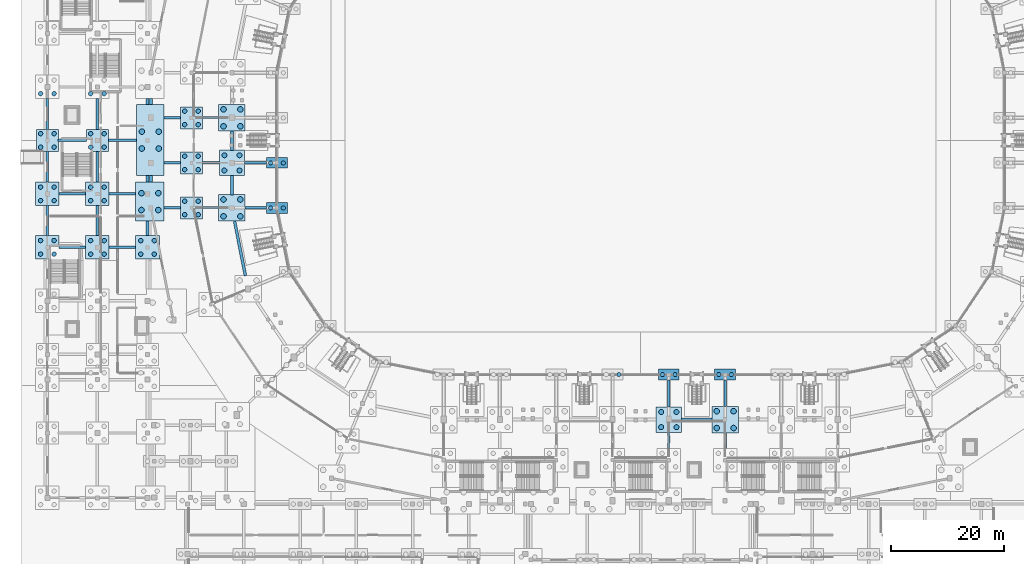
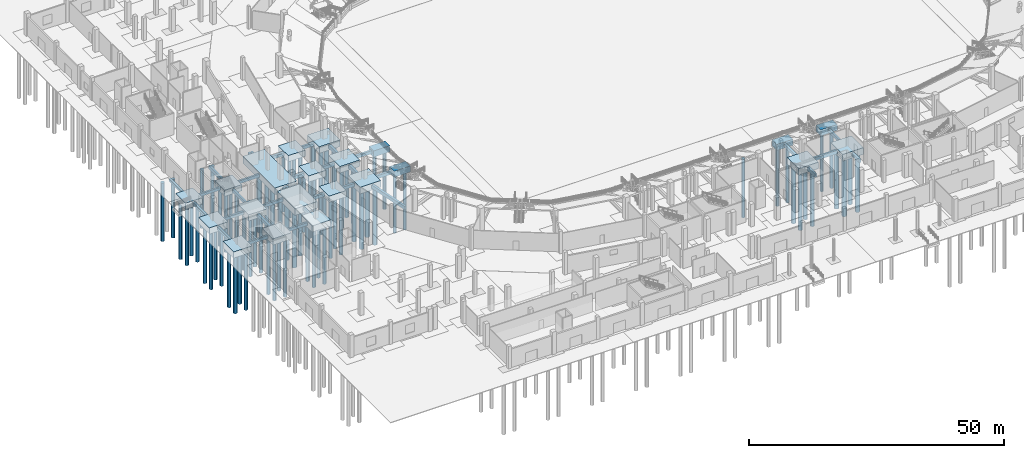
# One storey, part 4 of 68: 81 piles, 54 footings.
"""IFC4 building model written with IfcOpenShell, lengths in metres."""

from ifc_helpers import new_model, si_unit, direction, frame, origin, origin_2d, place, context, subcontext, project, spatial, rectangle, circle, extrude, material, material_profile, profile_set, type_object, element, save


model = new_model("IFC4")

# Units and contexts
model_context = context("Model", 3, precision=1e-05, world=origin(), true_north=direction((0.0, 1.0)))
body_context = subcontext(model_context, "Body", "Model", "MODEL_VIEW")
ifc_project = project(units=[si_unit("LENGTHUNIT", "METRE"), si_unit("AREAUNIT", "SQUARE_METRE"), si_unit("VOLUMEUNIT", "CUBIC_METRE"), si_unit("PLANEANGLEUNIT", "RADIAN"), si_unit("MASSUNIT", "GRAM", prefix="KILO")], contexts=[model_context])

# Site, building, storey
site_placement = place(None, origin())
site = spatial("IfcSite", under=ifc_project, at=site_placement, CompositionType="ELEMENT")
building_placement = place(site_placement, origin())
building = spatial("IfcBuilding", under=site, at=building_placement, Name="Candeia Ridge Stadium", CompositionType="ELEMENT")
storey_placement = place(building_placement, origin())
storey = spatial("IfcBuildingStorey", under=building, at=storey_placement, Name="L00", CompositionType="ELEMENT", Elevation=0.0)

# Piles
ifc_material = material(Name="Concrete C40/50", Category="concrete")
ifc_material_profile_1 = material_profile(ifc_material, circle(Radius=0.5, at=origin_2d()), Name="PILE-D1000", Category="concrete")
ifc_profile_set_1 = profile_set([ifc_material_profile_1], Name="Concrete C40/50")
pile_type_1 = type_object("IfcPileType", Name="Bored Concrete Pile D1000", PredefinedType="BORED", material=ifc_profile_set_1)
for number, where, z_axis, x_axis, name in (
    (1, (31.89990234375, 85.5, -1.39990234375), (0.0, 0.0, -1.0), (1.0, 0.0, 0.0), "Bored concrete foundation pile PILE-0167"),
    (2, (34.89990234375, 85.5, -1.39990234375), (0.0, 0.0, -1.0), (1.0, 0.0, 0.0), "Bored concrete foundation pile PILE-0168"),
    (3, (31.89990234375, 88.5, -1.39990234375), (0.0, 0.0, -1.0), (1.0, 0.0, 0.0), "Bored concrete foundation pile PILE-0169"),
    (4, (34.89990234375, 88.5, -1.39990234375), (0.0, 0.0, -1.0), (1.0, 0.0, 0.0), "Bored concrete foundation pile PILE-0170"),
    (5, (17.39990234375, 81.550048828125, -1.39990234375), (0.0, 0.0, -1.0), (1.0, 0.0, 0.0), "Bored concrete foundation pile PILE-0175"),
    (6, (20.39990234375, 81.550048828125, -1.39990234375), (0.0, 0.0, -1.0), (1.0, 0.0, 0.0), "Bored concrete foundation pile PILE-0176"),
    (7, (17.39990234375, 84.550048828125, -1.39990234375), (0.0, 0.0, -1.0), (1.0, 0.0, 0.0), "Bored concrete foundation pile PILE-0177"),
    (8, (20.39990234375, 84.550048828125, -1.39990234375), (0.0, 0.0, -1.0), (1.0, 0.0, 0.0), "Bored concrete foundation pile PILE-0178"),
    (9, (31.89990234375, 69.5, -1.39990234375), (0.0, 0.0, -1.0), (1.0, 0.0, 0.0), "Bored concrete foundation pile PILE-0191"),
    (10, (34.89990234375, 69.5, -1.39990234375), (0.0, 0.0, -1.0), (1.0, 0.0, 0.0), "Bored concrete foundation pile PILE-0192"),
    (11, (31.89990234375, 72.5, -1.39990234375), (0.0, 0.0, -1.0), (1.0, 0.0, 0.0), "Bored concrete foundation pile PILE-0193"),
    (12, (34.89990234375, 72.5, -1.39990234375), (0.0, 0.0, -1.0), (1.0, 0.0, 0.0), "Bored concrete foundation pile PILE-0194"),
    (13, (17.324951171875, 70.625, -1.39990234375), (0.0, 0.0, -1.0), (1.0, 0.0, 0.0), "Bored concrete foundation pile PILE-0199"),
    (14, (20.324951171875, 70.625, -1.39990234375), (0.0, 0.0, -1.0), (1.0, 0.0, 0.0), "Bored concrete foundation pile PILE-0200"),
    (15, (17.324951171875, 73.625, -1.39990234375), (0.0, 0.0, -1.0), (1.0, 0.0, 0.0), "Bored concrete foundation pile PILE-0201"),
    (16, (20.324951171875, 73.625, -1.39990234375), (0.0, 0.0, -1.0), (1.0, 0.0, 0.0), "Bored concrete foundation pile PILE-0202"),
    (17, (119.5, 31.89990234375, -1.39990234375), (0.0, 0.0, -1.0), (1.0, 0.0, 0.0), "Bored concrete foundation pile PILE-0317"),
    (18, (122.5, 31.89990234375, -1.39990234375), (0.0, 0.0, -1.0), (1.0, 0.0, 0.0), "Bored concrete foundation pile PILE-0318"),
    (19, (119.5, 34.89990234375, -1.39990234375), (0.0, 0.0, -1.0), (1.0, 0.0, 0.0), "Bored concrete foundation pile PILE-0319"),
    (20, (122.5, 34.89990234375, -1.39990234375), (0.0, 0.0, -1.0), (1.0, 0.0, 0.0), "Bored concrete foundation pile PILE-0320"),
):
    element("IfcPile", number, at=place(storey_placement, frame(where, z_axis=z_axis, x_axis=x_axis)), inside=storey, type_object=pile_type_1, Name=name, PredefinedType="BORED", context=body_context, shape_type="SweptSolid", body=[
        extrude(circle(Radius=0.5, at=origin_2d()), origin(), (0.0, 0.0, 1.0), 14.0),
    ])
ifc_material_profile_2 = material_profile(ifc_material, circle(Radius=0.375, at=origin_2d()), Name="PILE-D750", Category="concrete")
ifc_profile_set_2 = profile_set([ifc_material_profile_2], Name="Concrete C40/50")
pile_type_2 = type_object("IfcPileType", Name="Bored Concrete Pile D750", PredefinedType="BORED", material=ifc_profile_set_2)
for number, where, z_axis, x_axis, name in (
    (21, (40.27490234375, 79.0, -1.39990234375), (0.0, 0.0, -1.0), (1.0, 0.0, 0.0), "Bored concrete foundation pile PILE-0179"),
    (22, (42.52490234375, 79.0, -1.39990234375), (0.0, 0.0, -1.0), (1.0, 0.0, 0.0), "Bored concrete foundation pile PILE-0180"),
    (23, (40.27490234375, 71.0, -1.39990234375), (0.0, 0.0, -1.0), (1.0, 0.0, 0.0), "Bored concrete foundation pile PILE-0189"),
    (24, (42.52490234375, 71.0, -1.39990234375), (0.0, 0.0, -1.0), (1.0, 0.0, 0.0), "Bored concrete foundation pile PILE-0190"),
    (25, (102.125, 41.39990234375, -1.39990234375), (0.0, 0.0, -1.0), (1.0, 0.0, 0.0), "Bored concrete foundation pile PILE-0288"),
    (26, (109.875, 41.39990234375, -1.39990234375), (0.0, 0.0, -1.0), (1.0, 0.0, 0.0), "Bored concrete foundation pile PILE-0301"),
    (27, (112.125, 41.39990234375, -1.39990234375), (0.0, 0.0, -1.0), (1.0, 0.0, 0.0), "Bored concrete foundation pile PILE-0302"),
    (28, (119.875, 41.39990234375, -1.39990234375), (0.0, 0.0, -1.0), (1.0, 0.0, 0.0), "Bored concrete foundation pile PILE-0315"),
    (29, (122.125, 41.39990234375, -1.39990234375), (0.0, 0.0, -1.0), (1.0, 0.0, 0.0), "Bored concrete foundation pile PILE-0316"),
):
    element("IfcPile", number, at=place(storey_placement, frame(where, z_axis=z_axis, x_axis=x_axis)), inside=storey, type_object=pile_type_2, Name=name, PredefinedType="BORED", context=body_context, shape_type="SweptSolid", body=[
        extrude(circle(Radius=0.375, at=origin_2d()), origin(), (0.0, 0.0, 1.0), 14.0),
    ])
ifc_material_profile_3 = material_profile(ifc_material, circle(Radius=0.39990234375, at=origin_2d()), Name="PILE-D800", Category="concrete")
ifc_profile_set_3 = profile_set([ifc_material_profile_3], Name="Concrete C40/50")
pile_type_3 = type_object("IfcPileType", Name="Bored Concrete Pile D800", PredefinedType="BORED", material=ifc_profile_set_3)
for number, where, z_axis, x_axis, name in (
    (30, (25.0, 85.800048828125, -1.39990234375), (0.0, 0.0, -1.0), (1.0, 0.0, 0.0), "Bored concrete foundation pile PILE-0171"),
    (31, (27.39990234375, 85.800048828125, -1.39990234375), (0.0, 0.0, -1.0), (1.0, 0.0, 0.0), "Bored concrete foundation pile PILE-0172"),
    (32, (25.0, 88.199951171875, -1.39990234375), (0.0, 0.0, -1.0), (1.0, 0.0, 0.0), "Bored concrete foundation pile PILE-0173"),
    (33, (27.39990234375, 88.199951171875, -1.39990234375), (0.0, 0.0, -1.0), (1.0, 0.0, 0.0), "Bored concrete foundation pile PILE-0174"),
    (34, (25.0, 77.800048828125, -1.39990234375), (0.0, 0.0, -1.0), (1.0, 0.0, 0.0), "Bored concrete foundation pile PILE-0185"),
    (35, (27.39990234375, 77.800048828125, -1.39990234375), (0.0, 0.0, -1.0), (1.0, 0.0, 0.0), "Bored concrete foundation pile PILE-0186"),
    (36, (25.0, 80.199951171875, -1.39990234375), (0.0, 0.0, -1.0), (1.0, 0.0, 0.0), "Bored concrete foundation pile PILE-0187"),
    (37, (27.39990234375, 80.199951171875, -1.39990234375), (0.0, 0.0, -1.0), (1.0, 0.0, 0.0), "Bored concrete foundation pile PILE-0188"),
    (38, (25.0, 69.800048828125, -1.39990234375), (0.0, 0.0, -1.0), (1.0, 0.0, 0.0), "Bored concrete foundation pile PILE-0195"),
    (39, (27.39990234375, 69.800048828125, -1.39990234375), (0.0, 0.0, -1.0), (1.0, 0.0, 0.0), "Bored concrete foundation pile PILE-0196"),
    (40, (25.0, 72.199951171875, -1.39990234375), (0.0, 0.0, -1.0), (1.0, 0.0, 0.0), "Bored concrete foundation pile PILE-0197"),
    (41, (27.39990234375, 72.199951171875, -1.39990234375), (0.0, 0.0, -1.0), (1.0, 0.0, 0.0), "Bored concrete foundation pile PILE-0198"),
    (42, (-0.60009765625, 62.800048828125, -1.39990234375), (0.0, 0.0, -1.0), (1.0, 0.0, 0.0), "Bored concrete foundation pile PILE-0513"),
    (43, (1.800048828125, 62.800048828125, -1.39990234375), (0.0, 0.0, -1.0), (1.0, 0.0, 0.0), "Bored concrete foundation pile PILE-0514"),
    (44, (-0.60009765625, 65.199951171875, -1.39990234375), (0.0, 0.0, -1.0), (1.0, 0.0, 0.0), "Bored concrete foundation pile PILE-0515"),
    (45, (1.800048828125, 65.199951171875, -1.39990234375), (0.0, 0.0, -1.0), (1.0, 0.0, 0.0), "Bored concrete foundation pile PILE-0516"),
    (46, (-0.60009765625, 72.300048828125, -1.39990234375), (0.0, 0.0, -1.0), (1.0, 0.0, 0.0), "Bored concrete foundation pile PILE-0517"),
    (47, (1.800048828125, 72.300048828125, -1.39990234375), (0.0, 0.0, -1.0), (1.0, 0.0, 0.0), "Bored concrete foundation pile PILE-0518"),
    (48, (-0.60009765625, 74.699951171875, -1.39990234375), (0.0, 0.0, -1.0), (1.0, 0.0, 0.0), "Bored concrete foundation pile PILE-0519"),
    (49, (1.800048828125, 74.699951171875, -1.39990234375), (0.0, 0.0, -1.0), (1.0, 0.0, 0.0), "Bored concrete foundation pile PILE-0520"),
    (50, (-0.60009765625, 81.800048828125, -1.39990234375), (0.0, 0.0, -1.0), (1.0, 0.0, 0.0), "Bored concrete foundation pile PILE-0521"),
    (51, (1.800048828125, 81.800048828125, -1.39990234375), (0.0, 0.0, -1.0), (1.0, 0.0, 0.0), "Bored concrete foundation pile PILE-0522"),
    (52, (-0.60009765625, 84.199951171875, -1.39990234375), (0.0, 0.0, -1.0), (1.0, 0.0, 0.0), "Bored concrete foundation pile PILE-0523"),
    (53, (1.800048828125, 84.199951171875, -1.39990234375), (0.0, 0.0, -1.0), (1.0, 0.0, 0.0), "Bored concrete foundation pile PILE-0524"),
    (54, (-0.60009765625, 91.300048828125, -1.39990234375), (0.0, 0.0, -1.0), (1.0, 0.0, 0.0), "Bored concrete foundation pile PILE-0525"),
    (55, (1.800048828125, 91.300048828125, -1.39990234375), (0.0, 0.0, -1.0), (1.0, 0.0, 0.0), "Bored concrete foundation pile PILE-0526"),
    (56, (8.300048828125, 62.800048828125, -1.39990234375), (0.0, 0.0, -1.0), (1.0, 0.0, 0.0), "Bored concrete foundation pile PILE-0573"),
    (57, (10.699951171875, 62.800048828125, -1.39990234375), (0.0, 0.0, -1.0), (1.0, 0.0, 0.0), "Bored concrete foundation pile PILE-0574"),
    (58, (8.300048828125, 65.199951171875, -1.39990234375), (0.0, 0.0, -1.0), (1.0, 0.0, 0.0), "Bored concrete foundation pile PILE-0575"),
    (59, (10.699951171875, 65.199951171875, -1.39990234375), (0.0, 0.0, -1.0), (1.0, 0.0, 0.0), "Bored concrete foundation pile PILE-0576"),
    (60, (8.300048828125, 72.300048828125, -1.39990234375), (0.0, 0.0, -1.0), (1.0, 0.0, 0.0), "Bored concrete foundation pile PILE-0577"),
    (61, (10.699951171875, 72.300048828125, -1.39990234375), (0.0, 0.0, -1.0), (1.0, 0.0, 0.0), "Bored concrete foundation pile PILE-0578"),
    (62, (8.300048828125, 74.699951171875, -1.39990234375), (0.0, 0.0, -1.0), (1.0, 0.0, 0.0), "Bored concrete foundation pile PILE-0579"),
    (63, (10.699951171875, 74.699951171875, -1.39990234375), (0.0, 0.0, -1.0), (1.0, 0.0, 0.0), "Bored concrete foundation pile PILE-0580"),
    (64, (8.300048828125, 81.800048828125, -1.39990234375), (0.0, 0.0, -1.0), (1.0, 0.0, 0.0), "Bored concrete foundation pile PILE-0581"),
    (65, (10.699951171875, 81.800048828125, -1.39990234375), (0.0, 0.0, -1.0), (1.0, 0.0, 0.0), "Bored concrete foundation pile PILE-0582"),
    (66, (8.300048828125, 84.199951171875, -1.39990234375), (0.0, 0.0, -1.0), (1.0, 0.0, 0.0), "Bored concrete foundation pile PILE-0583"),
    (67, (10.699951171875, 84.199951171875, -1.39990234375), (0.0, 0.0, -1.0), (1.0, 0.0, 0.0), "Bored concrete foundation pile PILE-0584"),
    (68, (8.300048828125, 91.300048828125, -1.39990234375), (0.0, 0.0, -1.0), (1.0, 0.0, 0.0), "Bored concrete foundation pile PILE-0585"),
    (69, (10.699951171875, 91.300048828125, -1.39990234375), (0.0, 0.0, -1.0), (1.0, 0.0, 0.0), "Bored concrete foundation pile PILE-0586"),
    (70, (17.199951171875, 62.800048828125, -1.39990234375), (0.0, 0.0, -1.0), (1.0, 0.0, 0.0), "Bored concrete foundation pile PILE-0629"),
    (71, (19.60009765625, 62.800048828125, -1.39990234375), (0.0, 0.0, -1.0), (1.0, 0.0, 0.0), "Bored concrete foundation pile PILE-0630"),
    (72, (17.199951171875, 65.199951171875, -1.39990234375), (0.0, 0.0, -1.0), (1.0, 0.0, 0.0), "Bored concrete foundation pile PILE-0631"),
    (73, (19.60009765625, 65.199951171875, -1.39990234375), (0.0, 0.0, -1.0), (1.0, 0.0, 0.0), "Bored concrete foundation pile PILE-0632"),
):
    element("IfcPile", number, at=place(storey_placement, frame(where, z_axis=z_axis, x_axis=x_axis)), inside=storey, type_object=pile_type_3, Name=name, PredefinedType="BORED", context=body_context, shape_type="SweptSolid", body=[
        extrude(circle(Radius=0.39990234375, at=origin_2d()), origin(), (0.0, 0.0, 1.0), 14.0),
    ])
ifc_material_profile_4 = material_profile(ifc_material, circle(Radius=0.449951171875, at=origin_2d()), Name="PILE-D900", Category="concrete")
ifc_profile_set_4 = profile_set([ifc_material_profile_4], Name="Concrete C40/50")
pile_type_4 = type_object("IfcPileType", Name="Bored Concrete Pile D900", PredefinedType="BORED", material=ifc_profile_set_4)
for number, where, z_axis, x_axis, name in (
    (74, (32.050048828125, 77.64990234375, -1.39990234375), (0.0, 0.0, -1.0), (1.0, 0.0, 0.0), "Bored concrete foundation pile PILE-0181"),
    (75, (34.75, 77.64990234375, -1.39990234375), (0.0, 0.0, -1.0), (1.0, 0.0, 0.0), "Bored concrete foundation pile PILE-0182"),
    (76, (32.050048828125, 80.35009765625, -1.39990234375), (0.0, 0.0, -1.0), (1.0, 0.0, 0.0), "Bored concrete foundation pile PILE-0183"),
    (77, (34.75, 80.35009765625, -1.39990234375), (0.0, 0.0, -1.0), (1.0, 0.0, 0.0), "Bored concrete foundation pile PILE-0184"),
    (78, (109.64990234375, 32.050048828125, -1.39990234375), (0.0, 0.0, -1.0), (1.0, 0.0, 0.0), "Bored concrete foundation pile PILE-0303"),
    (79, (112.35009765625, 32.050048828125, -1.39990234375), (0.0, 0.0, -1.0), (1.0, 0.0, 0.0), "Bored concrete foundation pile PILE-0304"),
    (80, (109.64990234375, 34.75, -1.39990234375), (0.0, 0.0, -1.0), (1.0, 0.0, 0.0), "Bored concrete foundation pile PILE-0305"),
    (81, (112.35009765625, 34.75, -1.39990234375), (0.0, 0.0, -1.0), (1.0, 0.0, 0.0), "Bored concrete foundation pile PILE-0306"),
):
    element("IfcPile", number, at=place(storey_placement, frame(where, z_axis=z_axis, x_axis=x_axis)), inside=storey, type_object=pile_type_4, Name=name, PredefinedType="BORED", context=body_context, shape_type="SweptSolid", body=[
        extrude(circle(Radius=0.449951171875, at=origin_2d()), origin(), (0.0, 0.0, 1.0), 14.0),
    ])

# Footings
footing_type_1 = type_object("IfcFootingType", Name="Ground Tie Beam 400x700", PredefinedType="FOOTING_BEAM", material=ifc_material)
for number, where, z_axis, x_axis, name in (
    (82, (5.050048828125, 64.0, -1.0498046875), (0.0, 0.0, 1.0), (1.0, 0.0, 0.0), "Ground tie beam GTB-0171"),
    (83, (5.050048828125, 73.5, -1.0498046875), (0.0, 0.0, 1.0), (1.0, 0.0, 0.0), "Ground tie beam GTB-0173"),
):
    element("IfcFooting", number, at=place(storey_placement, frame(where, z_axis=z_axis, x_axis=x_axis)), inside=storey, type_object=footing_type_1, Name=name, PredefinedType="FOOTING_BEAM", context=body_context, shape_type="SweptSolid", body=[
        extrude(rectangle(XDim=4.719970703125, YDim=0.39990234375, at=origin_2d()), origin(), (0.0, 0.0, 1.0), 0.699951171875),
    ])
footing_1_placement = place(storey_placement, frame((5.050048828125, 83.0, -1.0498046875), z_axis=(0.0, 0.0, 1.0), x_axis=(1.0, 0.0, 0.0)))
element("IfcFooting", 84, at=footing_1_placement, inside=storey, type_object=footing_type_1, Name="Ground tie beam GTB-0175", PredefinedType="FOOTING_BEAM", context=body_context, shape_type="SweptSolid", body=[
    extrude(rectangle(XDim=5.02001953125, YDim=0.39990234375, at=origin_2d()), origin(), (0.0, 0.0, 1.0), 0.699951171875),
])
for number, where, z_axis, x_axis, name in (
    (85, (13.949951171875, 64.0, -1.0498046875), (0.0, 0.0, 1.0), (1.0, 0.0, 0.0), "Ground tie beam GTB-0200"),
    (86, (13.949951171875, 73.5, -1.0498046875), (0.0, 0.0, 1.0), (1.0, 0.0, 0.0), "Ground tie beam GTB-0202"),
):
    element("IfcFooting", number, at=place(storey_placement, frame(where, z_axis=z_axis, x_axis=x_axis)), inside=storey, type_object=footing_type_1, Name=name, PredefinedType="FOOTING_BEAM", context=body_context, shape_type="SweptSolid", body=[
        extrude(rectangle(XDim=4.719970703125, YDim=0.39990234375, at=origin_2d()), origin(), (0.0, 0.0, 1.0), 0.699951171875),
    ])
footing_2_placement = place(storey_placement, frame((13.949951171875, 83.0, -1.0498046875), z_axis=(0.0, 0.0, 1.0), x_axis=(1.0, 0.0, 0.0)))
element("IfcFooting", 87, at=footing_2_placement, inside=storey, type_object=footing_type_1, Name="Ground tie beam GTB-0204", PredefinedType="FOOTING_BEAM", context=body_context, shape_type="SweptSolid", body=[
    extrude(rectangle(XDim=5.02001953125, YDim=0.39990234375, at=origin_2d()), origin(), (0.0, 0.0, 1.0), 0.699951171875),
])
footing_type_2 = type_object("IfcFootingType", Name="Ground Tie Beam 450x750", PredefinedType="FOOTING_BEAM", material=ifc_material)
for number, where, z_axis, x_axis, name in (
    (88, (29.60009765625, 87.0, -1.074951171875), (0.0, 0.0, 1.0), (-1.0, 0.0, 0.0), "Ground tie beam GTB-0057"),
    (89, (22.800048828125, 87.0, -1.074951171875), (0.0, 0.0, 1.0), (-1.0, 0.0, 0.0), "Ground tie beam GTB-0058"),
):
    element("IfcFooting", number, at=place(storey_placement, frame(where, z_axis=z_axis, x_axis=x_axis)), inside=storey, type_object=footing_type_2, Name=name, PredefinedType="FOOTING_BEAM", context=body_context, shape_type="SweptSolid", body=[
        extrude(rectangle(XDim=2.919921875, YDim=0.449951171875, at=origin_2d()), origin(), (0.0, 0.0, 1.0), 0.75),
    ])
footing_3_placement = place(storey_placement, frame((37.60009765625, 79.0, -1.074951171875), z_axis=(0.0, 0.0, 1.0), x_axis=(-1.0, 0.0, 0.0)))
element("IfcFooting", 90, at=footing_3_placement, inside=storey, type_object=footing_type_2, Name="Ground tie beam GTB-0061", PredefinedType="FOOTING_BEAM", context=body_context, shape_type="SweptSolid", body=[
    extrude(rectangle(XDim=3.919921875, YDim=0.449951171875, at=origin_2d()), origin(), (0.0, 0.0, 1.0), 0.75),
])
footing_4_placement = place(storey_placement, frame((29.64990234375, 79.0, -1.074951171875), z_axis=(0.0, 0.0, 1.0), x_axis=(-1.0, 0.0, 0.0)))
element("IfcFooting", 91, at=footing_4_placement, inside=storey, type_object=footing_type_2, Name="Ground tie beam GTB-0062", PredefinedType="FOOTING_BEAM", context=body_context, shape_type="SweptSolid", body=[
    extrude(rectangle(XDim=3.02001953125, YDim=0.449951171875, at=origin_2d()), origin(), (0.0, 0.0, 1.0), 0.75),
])
footing_5_placement = place(storey_placement, frame((22.800048828125, 79.0, -1.074951171875), z_axis=(0.0, 0.0, 1.0), x_axis=(-1.0, 0.0, 0.0)))
element("IfcFooting", 92, at=footing_5_placement, inside=storey, type_object=footing_type_2, Name="Ground tie beam GTB-0063", PredefinedType="FOOTING_BEAM", context=body_context, shape_type="SweptSolid", body=[
    extrude(rectangle(XDim=2.919921875, YDim=0.449951171875, at=origin_2d()), origin(), (0.0, 0.0, 1.0), 0.75),
])
footing_6_placement = place(storey_placement, frame((37.64990234375, 71.0, -1.074951171875), z_axis=(0.0, 0.0, 1.0), x_axis=(-1.0, 0.0, 0.0)))
element("IfcFooting", 93, at=footing_6_placement, inside=storey, type_object=footing_type_2, Name="Ground tie beam GTB-0065", PredefinedType="FOOTING_BEAM", context=body_context, shape_type="SweptSolid", body=[
    extrude(rectangle(XDim=3.820068359375, YDim=0.449951171875, at=origin_2d()), origin(), (0.0, 0.0, 1.0), 0.75),
])
for number, where, z_axis, x_axis, name in (
    (94, (29.60009765625, 71.0, -1.074951171875), (0.0, 0.0, 1.0), (-1.0, 0.0, 0.0), "Ground tie beam GTB-0066"),
    (95, (22.800048828125, 71.0, -1.074951171875), (0.0, 0.0, 1.0), (-1.0, 0.0, 0.0), "Ground tie beam GTB-0067"),
):
    element("IfcFooting", number, at=place(storey_placement, frame(where, z_axis=z_axis, x_axis=x_axis)), inside=storey, type_object=footing_type_2, Name=name, PredefinedType="FOOTING_BEAM", context=body_context, shape_type="SweptSolid", body=[
        extrude(rectangle(XDim=2.919921875, YDim=0.449951171875, at=origin_2d()), origin(), (0.0, 0.0, 1.0), 0.75),
    ])
footing_7_placement = place(storey_placement, frame((111.0, 38.050048828125, -1.074951171875), z_axis=(0.0, 0.0, 1.0), x_axis=(0.0, -1.0, 0.0)))
element("IfcFooting", 96, at=footing_7_placement, inside=storey, type_object=footing_type_2, Name="Ground tie beam GTB-0101", PredefinedType="FOOTING_BEAM", context=body_context, shape_type="SweptSolid", body=[
    extrude(rectangle(XDim=4.820068359375, YDim=0.449951171875, at=origin_2d()), origin(), (0.0, 0.0, 1.0), 0.75),
])
footing_8_placement = place(storey_placement, frame((111.0, 29.72509765625, -1.074951171875), z_axis=(0.0, 0.0, 1.0), x_axis=(0.0, -1.0, 0.0)))
element("IfcFooting", 97, at=footing_8_placement, inside=storey, type_object=footing_type_2, Name="Ground tie beam GTB-0102", PredefinedType="FOOTING_BEAM", context=body_context, shape_type="SweptSolid", body=[
    extrude(rectangle(XDim=2.8701171875, YDim=0.449951171875, at=origin_2d()), origin(), (0.0, 0.0, 1.0), 0.75),
])
footing_9_placement = place(storey_placement, frame((121.0, 38.10009765625, -1.074951171875), z_axis=(0.0, 0.0, 1.0), x_axis=(0.0, -1.0, 0.0)))
element("IfcFooting", 98, at=footing_9_placement, inside=storey, type_object=footing_type_2, Name="Ground tie beam GTB-0105", PredefinedType="FOOTING_BEAM", context=body_context, shape_type="SweptSolid", body=[
    extrude(rectangle(XDim=4.719970703125, YDim=0.449951171875, at=origin_2d()), origin(), (0.0, 0.0, 1.0), 0.75),
])
footing_10_placement = place(storey_placement, frame((121.0, 29.675048828125, -1.074951171875), z_axis=(0.0, 0.0, 1.0), x_axis=(0.0, -1.0, 0.0)))
element("IfcFooting", 99, at=footing_10_placement, inside=storey, type_object=footing_type_2, Name="Ground tie beam GTB-0106", PredefinedType="FOOTING_BEAM", context=body_context, shape_type="SweptSolid", body=[
    extrude(rectangle(XDim=2.77001953125, YDim=0.449951171875, at=origin_2d()), origin(), (0.0, 0.0, 1.0), 0.75),
])
footing_11_placement = place(storey_placement, frame((0.60009765625, 68.75, -1.074951171875), z_axis=(0.0, 0.0, 1.0), x_axis=(0.0, 1.0, 0.0)))
element("IfcFooting", 100, at=footing_11_placement, inside=storey, type_object=footing_type_2, Name="Ground tie beam GTB-0170", PredefinedType="FOOTING_BEAM", context=body_context, shape_type="SweptSolid", body=[
    extrude(rectangle(XDim=5.320068359375, YDim=0.449951171875, at=origin_2d()), origin(), (0.0, 0.0, 1.0), 0.75),
])
for number, where, z_axis, x_axis, name in (
    (101, (0.60009765625, 78.324951171875, -1.074951171875), (0.0, 0.0, 1.0), (0.0, 1.0, 0.0), "Ground tie beam GTB-0172"),
    (102, (0.60009765625, 87.675048828125, -1.074951171875), (0.0, 0.0, 1.0), (0.0, 1.0, 0.0), "Ground tie beam GTB-0174"),
):
    element("IfcFooting", number, at=place(storey_placement, frame(where, z_axis=z_axis, x_axis=x_axis)), inside=storey, type_object=footing_type_2, Name=name, PredefinedType="FOOTING_BEAM", context=body_context, shape_type="SweptSolid", body=[
        extrude(rectangle(XDim=5.469970703125, YDim=0.449951171875, at=origin_2d()), origin(), (0.0, 0.0, 1.0), 0.75),
    ])
footing_12_placement = place(storey_placement, frame((9.5, 68.75, -1.074951171875), z_axis=(0.0, 0.0, 1.0), x_axis=(0.0, 1.0, 0.0)))
element("IfcFooting", 103, at=footing_12_placement, inside=storey, type_object=footing_type_2, Name="Ground tie beam GTB-0199", PredefinedType="FOOTING_BEAM", context=body_context, shape_type="SweptSolid", body=[
    extrude(rectangle(XDim=5.320068359375, YDim=0.449951171875, at=origin_2d()), origin(), (0.0, 0.0, 1.0), 0.75),
])
for number, where, z_axis, x_axis, name in (
    (104, (9.5, 78.324951171875, -1.074951171875), (0.0, 0.0, 1.0), (0.0, 1.0, 0.0), "Ground tie beam GTB-0201"),
    (105, (9.5, 87.675048828125, -1.074951171875), (0.0, 0.0, 1.0), (0.0, 1.0, 0.0), "Ground tie beam GTB-0203"),
):
    element("IfcFooting", number, at=place(storey_placement, frame(where, z_axis=z_axis, x_axis=x_axis)), inside=storey, type_object=footing_type_2, Name=name, PredefinedType="FOOTING_BEAM", context=body_context, shape_type="SweptSolid", body=[
        extrude(rectangle(XDim=5.469970703125, YDim=0.449951171875, at=origin_2d()), origin(), (0.0, 0.0, 1.0), 0.75),
    ])
footing_13_placement = place(storey_placement, frame((18.39990234375, 67.375, -1.074951171875), z_axis=(0.0, 0.0, 1.0), x_axis=(0.0, 1.0, 0.0)))
element("IfcFooting", 106, at=footing_13_placement, inside=storey, type_object=footing_type_2, Name="Ground tie beam GTB-0223", PredefinedType="FOOTING_BEAM", context=body_context, shape_type="SweptSolid", body=[
    extrude(rectangle(XDim=2.570068359375, YDim=0.449951171875, at=origin_2d()), origin(), (0.0, 0.0, 1.0), 0.75),
])
footing_14_placement = place(storey_placement, frame((18.39990234375, 76.175048828125, -1.074951171875), z_axis=(0.0, 0.0, 1.0), x_axis=(0.0, 1.0, 0.0)))
element("IfcFooting", 107, at=footing_14_placement, inside=storey, type_object=footing_type_2, Name="Ground tie beam GTB-0224", PredefinedType="FOOTING_BEAM", context=body_context, shape_type="SweptSolid", body=[
    extrude(rectangle(XDim=1.169921875, YDim=0.449951171875, at=origin_2d()), origin(), (0.0, 0.0, 1.0), 0.75),
])
footing_15_placement = place(storey_placement, frame((18.39990234375, 89.875, -1.074951171875), z_axis=(0.0, 0.0, 1.0), x_axis=(0.0, 1.0, 0.0)))
element("IfcFooting", 108, at=footing_15_placement, inside=storey, type_object=footing_type_2, Name="Ground tie beam GTB-0225", PredefinedType="FOOTING_BEAM", context=body_context, shape_type="SweptSolid", body=[
    extrude(rectangle(XDim=1.070068359375, YDim=0.449951171875, at=origin_2d()), origin(), (0.0, 0.0, 1.0), 0.75),
])
footing_type_3 = type_object("IfcFootingType", Name="Ground Tie Beam 500x800", PredefinedType="FOOTING_BEAM", material=ifc_material)
footing_16_placement = place(storey_placement, frame((19.0, 89.875, -1.10009765625), z_axis=(0.0, 0.0, 1.0), x_axis=(0.0, -1.0, 0.0)))
element("IfcFooting", 109, at=footing_16_placement, inside=storey, type_object=footing_type_3, Name="Ground tie beam GTB-0051", PredefinedType="FOOTING_BEAM", context=body_context, shape_type="SweptSolid", body=[
    extrude(rectangle(XDim=1.070068359375, YDim=0.5, at=origin_2d()), origin(), (0.0, 0.0, 1.0), 0.800048828125),
])
for number, where, z_axis, x_axis, name in (
    (110, (33.39990234375, 82.949951171875, -1.10009765625), (0.0, 0.0, 1.0), (0.0, -1.0, 0.0), "Ground tie beam GTB-0055"),
    (111, (33.39990234375, 75.050048828125, -1.10009765625), (0.0, 0.0, 1.0), (0.0, -1.0, 0.0), "Ground tie beam GTB-0059"),
):
    element("IfcFooting", number, at=place(storey_placement, frame(where, z_axis=z_axis, x_axis=x_axis)), inside=storey, type_object=footing_type_3, Name=name, PredefinedType="FOOTING_BEAM", context=body_context, shape_type="SweptSolid", body=[
        extrude(rectangle(XDim=3.419921875, YDim=0.5, at=origin_2d()), origin(), (0.0, 0.0, 1.0), 0.800048828125),
    ])
footing_17_placement = place(storey_placement, frame((19.0, 76.175048828125, -1.10009765625), z_axis=(0.0, 0.0, 1.0), x_axis=(0.0, -1.0, 0.0)))
element("IfcFooting", 112, at=footing_17_placement, inside=storey, type_object=footing_type_3, Name="Ground tie beam GTB-0060", PredefinedType="FOOTING_BEAM", context=body_context, shape_type="SweptSolid", body=[
    extrude(rectangle(XDim=1.169921875, YDim=0.5, at=origin_2d()), origin(), (0.0, 0.0, 1.0), 0.800048828125),
])
footing_18_placement = place(storey_placement, frame((34.8310546875, 63.8056640625, -1.10009765625), z_axis=(0.0, 0.0, 1.0), x_axis=(0.195086365033, -0.980786067488, 0.0)))
element("IfcFooting", 113, at=footing_18_placement, inside=storey, type_object=footing_type_3, Name="Ground tie beam GTB-0064", PredefinedType="FOOTING_BEAM", context=body_context, shape_type="SweptSolid", body=[
    extrude(rectangle(XDim=9.898681640625, YDim=0.5, at=origin_2d()), origin(), (0.0, 0.0, 1.0), 0.800048828125),
])
footing_19_placement = place(storey_placement, frame((115.949951171875, 33.39990234375, -1.10009765625), z_axis=(0.0, 0.0, 1.0), x_axis=(1.0, 0.0, 0.0)))
element("IfcFooting", 114, at=footing_19_placement, inside=storey, type_object=footing_type_3, Name="Ground tie beam GTB-0099", PredefinedType="FOOTING_BEAM", context=body_context, shape_type="SweptSolid", body=[
    extrude(rectangle(XDim=5.419921875, YDim=0.5, at=origin_2d()), origin(), (0.0, 0.0, 1.0), 0.800048828125),
])
footing_type_4 = type_object("IfcFootingType", Name="Pile Cap 3700x1900x1450", PredefinedType="PILE_CAP", material=ifc_material)
for number, where, z_axis, x_axis, name in (
    (115, (41.39990234375, 79.0, -1.4501953125), (0.0, 0.0, 1.0), (1.0, 0.0, 0.0), "Reinforced concrete pile cap CAP-052"),
    (116, (41.39990234375, 71.0, -1.4501953125), (0.0, 0.0, 1.0), (1.0, 0.0, 0.0), "Reinforced concrete pile cap CAP-055"),
    (117, (111.0, 41.39990234375, -1.4501953125), (0.0, 0.0, 1.0), (1.0, 0.0, 0.0), "Reinforced concrete pile cap CAP-087"),
    (118, (121.0, 41.39990234375, -1.4501953125), (0.0, 0.0, 1.0), (1.0, 0.0, 0.0), "Reinforced concrete pile cap CAP-091"),
):
    element("IfcFooting", number, at=place(storey_placement, frame(where, z_axis=z_axis, x_axis=x_axis)), inside=storey, type_object=footing_type_4, Name=name, PredefinedType="PILE_CAP", context=body_context, shape_type="SweptSolid", body=[
        extrude(rectangle(XDim=3.699951171875, YDim=1.89990234375, at=origin_2d()), origin(), (0.0, 0.0, 1.0), 1.449951171875),
    ])
footing_type_5 = type_object("IfcFootingType", Name="Pile Cap 3900x3900x1500", PredefinedType="PILE_CAP", material=ifc_material)
for number, where, z_axis, x_axis, name in (
    (119, (26.199951171875, 87.0, -1.5), (0.0, 0.0, 1.0), (1.0, 0.0, 0.0), "Reinforced concrete pile cap CAP-050"),
    (120, (26.199951171875, 79.0, -1.5), (0.0, 0.0, 1.0), (1.0, 0.0, 0.0), "Reinforced concrete pile cap CAP-054"),
    (121, (26.199951171875, 71.0, -1.5), (0.0, 0.0, 1.0), (1.0, 0.0, 0.0), "Reinforced concrete pile cap CAP-057"),
    (122, (0.60009765625, 83.0, -1.5), (0.0, 0.0, 1.0), (1.0, 0.0, 0.0), "Reinforced concrete pile cap CAP-149"),
    (123, (9.5, 83.0, -1.5), (0.0, 0.0, 1.0), (1.0, 0.0, 0.0), "Reinforced concrete pile cap CAP-164"),
):
    element("IfcFooting", number, at=place(storey_placement, frame(where, z_axis=z_axis, x_axis=x_axis)), inside=storey, type_object=footing_type_5, Name=name, PredefinedType="PILE_CAP", context=body_context, shape_type="SweptSolid", body=[
        extrude(rectangle(XDim=3.89990234375, YDim=3.89990234375, at=origin_2d()), origin(), (0.0, 0.0, 1.0), 1.5),
    ])
footing_type_6 = type_object("IfcFootingType", Name="Pile Cap 4200x4200x1500", PredefinedType="PILE_CAP", material=ifc_material)
for number, where, z_axis, x_axis, name in (
    (124, (0.60009765625, 64.0, -1.5), (0.0, 0.0, 1.0), (1.0, 0.0, 0.0), "Reinforced concrete pile cap CAP-147"),
    (125, (0.60009765625, 73.5, -1.5), (0.0, 0.0, 1.0), (1.0, 0.0, 0.0), "Reinforced concrete pile cap CAP-148"),
    (126, (9.5, 64.0, -1.5), (0.0, 0.0, 1.0), (1.0, 0.0, 0.0), "Reinforced concrete pile cap CAP-162"),
    (127, (9.5, 73.5, -1.5), (0.0, 0.0, 1.0), (1.0, 0.0, 0.0), "Reinforced concrete pile cap CAP-163"),
    (128, (18.39990234375, 64.0, -1.5), (0.0, 0.0, 1.0), (1.0, 0.0, 0.0), "Reinforced concrete pile cap CAP-176"),
):
    element("IfcFooting", number, at=place(storey_placement, frame(where, z_axis=z_axis, x_axis=x_axis)), inside=storey, type_object=footing_type_6, Name=name, PredefinedType="PILE_CAP", context=body_context, shape_type="SweptSolid", body=[
        extrude(rectangle(XDim=4.199951171875, YDim=4.199951171875, at=origin_2d()), origin(), (0.0, 0.0, 1.0), 1.5),
    ])
footing_type_7 = type_object("IfcFootingType", Name="Pile Cap 4500x4500x1550", PredefinedType="PILE_CAP", material=ifc_material)
for number, where, z_axis, x_axis, name in (
    (129, (33.39990234375, 79.0, -1.5498046875), (0.0, 0.0, 1.0), (1.0, 0.0, 0.0), "Reinforced concrete pile cap CAP-053"),
    (130, (111.0, 33.39990234375, -1.5498046875), (0.0, 0.0, 1.0), (1.0, 0.0, 0.0), "Reinforced concrete pile cap CAP-088"),
):
    element("IfcFooting", number, at=place(storey_placement, frame(where, z_axis=z_axis, x_axis=x_axis)), inside=storey, type_object=footing_type_7, Name=name, PredefinedType="PILE_CAP", context=body_context, shape_type="SweptSolid", body=[
        extrude(rectangle(XDim=4.5, YDim=4.5, at=origin_2d()), origin(), (0.0, 0.0, 1.0), 1.550048828125),
    ])
footing_type_8 = type_object("IfcFootingType", Name="Pile Cap 4700x4700x1600", PredefinedType="PILE_CAP", material=ifc_material)
for number, where, z_axis, x_axis, name in (
    (131, (33.39990234375, 87.0, -1.60009765625), (0.0, 0.0, 1.0), (1.0, 0.0, 0.0), "Reinforced concrete pile cap CAP-049"),
    (132, (33.39990234375, 71.0, -1.60009765625), (0.0, 0.0, 1.0), (1.0, 0.0, 0.0), "Reinforced concrete pile cap CAP-056"),
    (133, (121.0, 33.39990234375, -1.60009765625), (0.0, 0.0, 1.0), (1.0, 0.0, 0.0), "Reinforced concrete pile cap CAP-092"),
):
    element("IfcFooting", number, at=place(storey_placement, frame(where, z_axis=z_axis, x_axis=x_axis)), inside=storey, type_object=footing_type_8, Name=name, PredefinedType="PILE_CAP", context=body_context, shape_type="SweptSolid", body=[
        extrude(rectangle(XDim=4.699951171875, YDim=4.699951171875, at=origin_2d()), origin(), (0.0, 0.0, 1.0), 1.60009765625),
    ])
footing_type_9 = type_object("IfcFootingType", Name="Pile Cap 5400x4200x1600", PredefinedType="PILE_CAP", material=ifc_material)
footing_20_placement = place(storey_placement, frame((18.89990234375, 83.050048828125, -1.60009765625), z_axis=(0.0, 0.0, 1.0), x_axis=(1.0, 0.0, 0.0)))
element("IfcFooting", 134, at=footing_20_placement, inside=storey, type_object=footing_type_9, Name="Reinforced concrete pile cap CAP-051", PredefinedType="PILE_CAP", context=body_context, shape_type="SweptSolid", body=[
    extrude(rectangle(XDim=4.89990234375, YDim=12.60009765625, at=origin_2d()), origin(), (0.0, 0.0, 1.0), 1.60009765625),
])
footing_21_placement = place(storey_placement, frame((18.824951171875, 72.125, -1.60009765625), z_axis=(0.0, 0.0, 1.0), x_axis=(1.0, 0.0, 0.0)))
element("IfcFooting", 135, at=footing_21_placement, inside=storey, type_object=footing_type_9, Name="Reinforced concrete pile cap CAP-058", PredefinedType="PILE_CAP", context=body_context, shape_type="SweptSolid", body=[
    extrude(rectangle(XDim=5.050048828125, YDim=6.949951171875, at=origin_2d()), origin(), (0.0, 0.0, 1.0), 1.60009765625),
])

save(model, "model.ifc")
